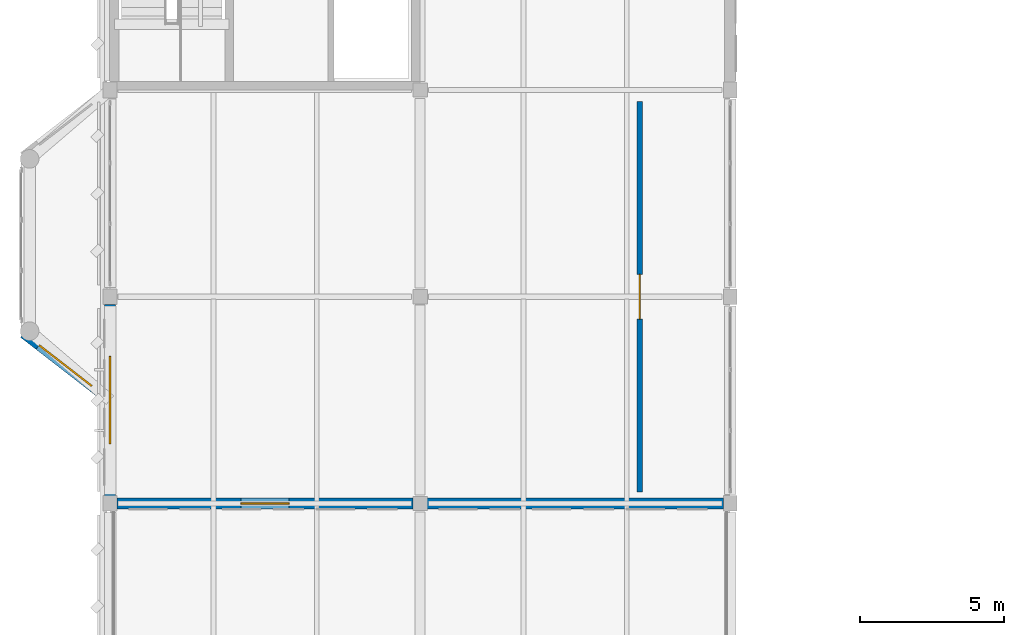
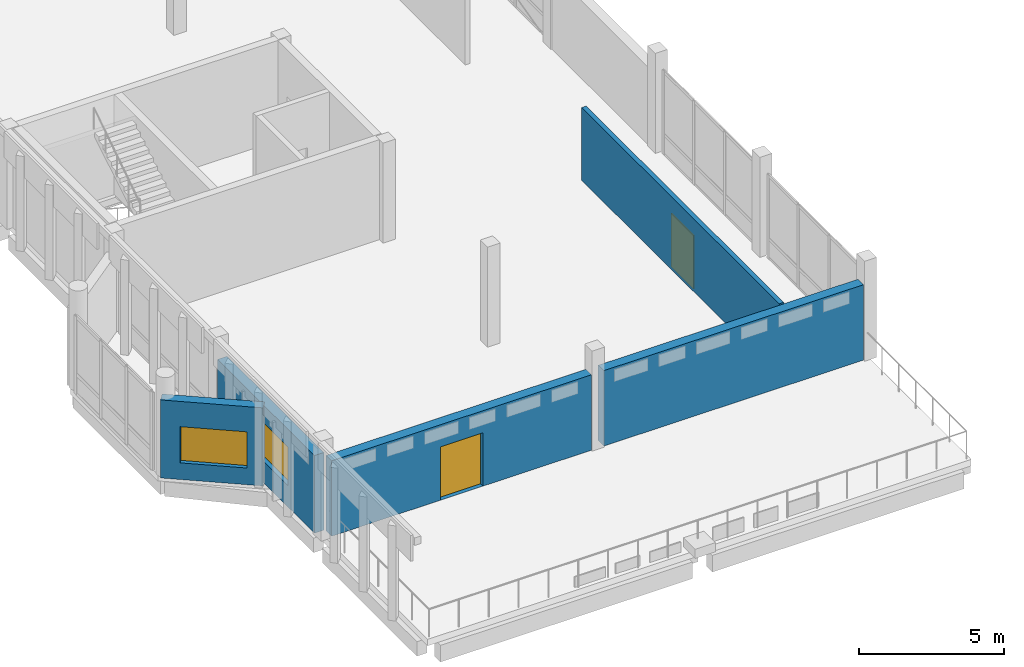
# One storey, part 55 of 72: 5 walls, 2 doors, 2 windows, 4 openings.
"""IFC4 building model written with IfcOpenShell, lengths in metres."""

from ifc_helpers import new_model, si_unit, direction, frame, frame_2d, origin, place, context, subcontext, project, spatial, rectangle, extrude, material, layer, layer_set, type_object, element, fill, save


model = new_model("IFC4")

# Units and contexts
model_context = context("Model", 3, precision=1e-05, world=origin(), true_north=direction((0.0, 1.0)))
body_context = subcontext(model_context, "Body", "Model", "MODEL_VIEW")
ifc_project = project(units=[si_unit("LENGTHUNIT", "METRE"), si_unit("AREAUNIT", "SQUARE_METRE"), si_unit("VOLUMEUNIT", "CUBIC_METRE"), si_unit("PLANEANGLEUNIT", "RADIAN"), si_unit("MASSUNIT", "GRAM", prefix="KILO")], contexts=[model_context])

# Site, building, storey
site_placement = place(None, origin())
site = spatial("IfcSite", under=ifc_project, at=site_placement, CompositionType="ELEMENT")
building_placement = place(site_placement, origin())
building = spatial("IfcBuilding", under=site, at=building_placement, Name="Lusvemor Sports Hall", CompositionType="ELEMENT")
storey_placement = place(building_placement, frame((0.0, 0.0, 15.0)))
storey = spatial("IfcBuildingStorey", under=building, at=storey_placement, Name="L03", CompositionType="ELEMENT", Elevation=15.0)

# Wall, opening, window
ifc_material_1 = material(Name="Warm terracotta Art Nouveau ceramic cladding on Concrete C40/50 backing", Category="masonry")
ifc_layer_1 = layer(ifc_material_1, 0.3798828125)
ifc_layer_set_1 = layer_set([ifc_layer_1], Name="Warm terracotta Art Nouveau ceramic cladding on Concrete C40/50 backing")
wall_type_1 = type_object("IfcWallType", Name="EW_UPPER_250", PredefinedType="STANDARD", material=ifc_layer_set_1)
wall_1_placement = place(storey_placement, frame((0.0, 54.26611328125, 0.0), z_axis=(0.0, 0.0, 1.0), x_axis=(0.0, 1.0, 0.0)))
wall_1 = element("IfcWall", 1, at=wall_1_placement, inside=storey, type_object=wall_type_1, Name="Exterior Wall EW-L03-W-0-0", PredefinedType="STANDARD", context=body_context, shape_type="SweptSolid", body=[
    extrude(rectangle(XDim=6.66796875, YDim=0.3798828125, at=frame_2d((3.333984375, 0.0))), origin(), (0.0, 0.0, 1.0), 3.260009765625),
])
opening_1_placement = place(wall_1_placement, frame((1.80908203125, 0.0, 0.89990234375)))
opening_1 = element("IfcOpeningElement", 2, at=opening_1_placement, cuts=wall_1, Name="Opening WN16", PredefinedType="OPENING", context=body_context, shape_type="SweptSolid", body=[
    extrude(rectangle(XDim=3.050048828125, YDim=1.6201171875, at=frame_2d((1.52490234375, 0.81005859375))), frame((0.0, 0.18994140625, 0.0), z_axis=(0.0, -1.0, 0.0), x_axis=(1.0, 0.0, 0.0)), (0.0, 0.0, 1.0), 0.3798828125),
])
ifc_material_2 = material(Name="Solar-control laminated double glazing", Category="glass")
window_type_1 = type_object("IfcWindowType", Name="WIN_16", PartitioningType="SINGLE_PANEL", PredefinedType="WINDOW", material=ifc_material_2)
window_1_placement = place(opening_1_placement, origin())
window_1 = element("IfcWindow", 3, at=window_1_placement, inside=storey, type_object=window_type_1, Name="Wing Window L03-W-0-0", OverallHeight=1.6201171875, OverallWidth=3.050048828125, PartitioningType="SINGLE_PANEL", PredefinedType="WINDOW", context=body_context, shape_type="SweptSolid", body=[
    extrude(rectangle(XDim=3.050048828125, YDim=1.6201171875, at=frame_2d((1.52490234375, 0.81005859375))), frame((0.0, 0.030029296875, 0.0), z_axis=(0.0, -1.0, 0.0), x_axis=(1.0, 0.0, 0.0)), (0.0, 0.0, 1.0), 0.06005859375),
])
fill(opening_1, window_1)

# Wall, opening, door
wall_2_placement = place(storey_placement, frame((10.553955078125, 54.0, 0.0), z_axis=(0.0, 0.0, 1.0), x_axis=(-1.0, 0.0, 0.0)))
wall_2 = element("IfcWall", 4, at=wall_2_placement, inside=storey, type_object=wall_type_1, Name="Exterior Wall EW-L03-S-5-0", PredefinedType="STANDARD", context=body_context, shape_type="SweptSolid", body=[
    extrude(rectangle(XDim=10.31787109375, YDim=0.3798828125, at=frame_2d((5.158935546875, 0.0))), origin(), (0.0, 0.0, 1.0), 3.169921875),
])
opening_2_placement = place(wall_2_placement, frame((4.31396484375, 0.0, 0.0)))
opening_2 = element("IfcOpeningElement", 5, at=opening_2_placement, cuts=wall_2, Name="Opening ED14", PredefinedType="OPENING", context=body_context, shape_type="SweptSolid", body=[
    extrude(rectangle(XDim=1.679931640625, YDim=2.239990234375, at=frame_2d((0.83984375, 1.1201171875))), frame((0.0, 0.18994140625, 0.0), z_axis=(0.0, -1.0, 0.0), x_axis=(1.0, 0.0, 0.0)), (0.0, 0.0, 1.0), 0.3798828125),
])
ifc_material_3 = material(Name="Thermally broken bronze-anodized aluminium", Category="aluminium")
door_type_1 = type_object("IfcDoorType", Name="EDR_WT_168x224", OperationType="NOTDEFINED", PredefinedType="DOOR", material=ifc_material_3)
door_1_placement = place(opening_2_placement, origin())
door_1 = element("IfcDoor", 6, at=door_1_placement, inside=storey, type_object=door_type_1, Name="DR-034", OperationType="SINGLE_SWING_RIGHT", OverallHeight=2.239990234375, OverallWidth=1.679931640625, PredefinedType="DOOR", context=body_context, shape_type="SweptSolid", body=[
    extrude(rectangle(XDim=1.679931640625, YDim=2.239990234375, at=frame_2d((0.83984375, 1.1201171875))), frame((0.0, 0.02490234375, 0.0), z_axis=(0.0, -1.0, 0.0), x_axis=(1.0, 0.0, 0.0)), (0.0, 0.0, 1.0), 0.050048828125),
])
fill(opening_2, door_1)

# Wall
wall_3_placement = place(storey_placement, frame((21.364013671875, 54.0, 0.0), z_axis=(0.0, 0.0, 1.0), x_axis=(-1.0, 0.0, 0.0)))
element("IfcWall", 7, at=wall_3_placement, inside=storey, type_object=wall_type_1, Name="Exterior Wall EW-L03-S-5-1", PredefinedType="STANDARD", context=body_context, shape_type="SweptSolid", body=[
    extrude(rectangle(XDim=10.318115234375, YDim=0.3798828125, at=frame_2d((5.1591796875, 0.0))), origin(), (0.0, 0.0, 1.0), 3.169921875),
])

# Wall, opening, window
ifc_material_4 = material(Name="Emerald polychrome glazed ceramic cladding on Concrete C40/50 backing", Category="concrete")
ifc_layer_2 = layer(ifc_material_4, 0.364990234375)
ifc_layer_set_2 = layer_set([ifc_layer_2], Name="Emerald polychrome glazed ceramic cladding on Concrete C40/50 backing")
wall_type_2 = type_object("IfcWallType", Name="EW_WAVE_CER_365", PredefinedType="STANDARD", material=ifc_layer_set_2)
wall_4_placement = place(storey_placement, frame((-0.189697265625, 57.746826171875, 0.0), z_axis=(0.0, 0.0, 1.0), x_axis=(-0.790723707614, 0.612173192991, 0.0)))
wall_4 = element("IfcWall", 8, at=wall_4_placement, inside=storey, type_object=wall_type_2, Name="Art Nouveau Bow Wall EW-BOW-W1-L03-1", PredefinedType="STANDARD", context=body_context, shape_type="SweptSolid", body=[
    extrude(rectangle(XDim=3.560546875, YDim=0.364990234375, at=frame_2d((1.7802734375, 0.0))), origin(), (0.0, 0.0, 1.0), 3.280029296875),
])
opening_3_placement = place(wall_4_placement, frame((0.56005859375, 0.0, 0.699951171875)))
opening_3 = element("IfcOpeningElement", 9, at=opening_3_placement, cuts=wall_4, Name="Opening WN21", PredefinedType="OPENING", context=body_context, shape_type="SweptSolid", body=[
    extrude(rectangle(XDim=2.320068359375, YDim=1.52001953125, at=frame_2d((1.16015625, 0.760009765625))), frame((0.0, 0.1826171875, 0.0), z_axis=(0.0, -1.0, 0.0), x_axis=(1.0, 0.0, 0.0)), (0.0, 0.0, 1.0), 0.364990234375),
])
ifc_material_5 = material(Name="Solar-control laminated double glazing", Category="glass")
window_type_2 = type_object("IfcWindowType", Name="WIN_21", PartitioningType="SINGLE_PANEL", PredefinedType="WINDOW", material=ifc_material_5)
window_2_placement = place(opening_3_placement, origin())
window_2 = element("IfcWindow", 10, at=window_2_placement, inside=storey, type_object=window_type_2, Name="Art Nouveau Bow Window BOW-W1 L03-1", OverallHeight=1.52001953125, OverallWidth=2.320068359375, PartitioningType="SINGLE_PANEL", PredefinedType="WINDOW", context=body_context, shape_type="SweptSolid", body=[
    extrude(rectangle(XDim=2.320068359375, YDim=1.52001953125, at=frame_2d((1.16015625, 0.760009765625))), frame((0.0, 0.030029296875, 0.0), z_axis=(0.0, -1.0, 0.0), x_axis=(1.0, 0.0, 0.0)), (0.0, 0.0, 1.0), 0.06005859375),
])
fill(opening_3, window_2)

# Wall, opening, door
ifc_material_6 = material(Name="Double-leaf acoustic gypsum board on metal studs")
ifc_layer_3 = layer(ifc_material_6, 0.179931640625)
ifc_layer_set_3 = layer_set([ifc_layer_3], Name="Double-leaf acoustic gypsum board on metal studs")
wall_type_3 = type_object("IfcWallType", Name="IW_ACOUST_184", PredefinedType="STANDARD", material=ifc_layer_set_3)
wall_5_placement = place(storey_placement, frame((18.449951171875, 54.39990234375, 0.0), z_axis=(0.0, 0.0, 1.0), x_axis=(0.0, 1.0, 0.0)))
wall_5 = element("IfcWall", 11, at=wall_5_placement, inside=storey, type_object=wall_type_3, Name="Partition IW-L03-W-FIT7", PredefinedType="STANDARD", context=body_context, shape_type="SweptSolid", body=[
    extrude(rectangle(XDim=13.60009765625, YDim=0.179931640625, at=frame_2d((6.800048828125, 0.0))), origin(), (0.0, 0.0, 1.0), 3.06005859375),
])
opening_4_placement = place(wall_5_placement, frame((6.02001953125, 0.0, 0.0)))
opening_4 = element("IfcOpeningElement", 12, at=opening_4_placement, cuts=wall_5, Name="Opening ID04", PredefinedType="OPENING", context=body_context, shape_type="SweptSolid", body=[
    extrude(rectangle(XDim=1.56005859375, YDim=2.25, at=frame_2d((0.780029296875, 1.125))), frame((0.0, 0.08984375, 0.0), z_axis=(0.0, -1.0, 0.0), x_axis=(1.0, 0.0, 0.0)), (0.0, 0.0, 1.0), 0.179931640625),
])
ifc_material_7 = material(Name="Acoustic solid-core hardwood door leaf in steel frame", Category="steel")
door_type_2 = type_object("IfcDoorType", Name="IDR_STUDIO_156", OperationType="NOTDEFINED", PredefinedType="DOOR", material=ifc_material_7)
door_2_placement = place(opening_4_placement, origin())
door_2 = element("IfcDoor", 13, at=door_2_placement, inside=storey, type_object=door_type_2, Name="DR-198", OperationType="SINGLE_SWING_RIGHT", OverallHeight=2.25, OverallWidth=1.56005859375, PredefinedType="DOOR", context=body_context, shape_type="SweptSolid", body=[
    extrude(rectangle(XDim=1.56005859375, YDim=2.25, at=frame_2d((0.780029296875, 1.125))), frame((0.0, 0.02490234375, 0.0), z_axis=(0.0, -1.0, 0.0), x_axis=(1.0, 0.0, 0.0)), (0.0, 0.0, 1.0), 0.050048828125),
])
fill(opening_4, door_2)

save(model, "model.ifc")
